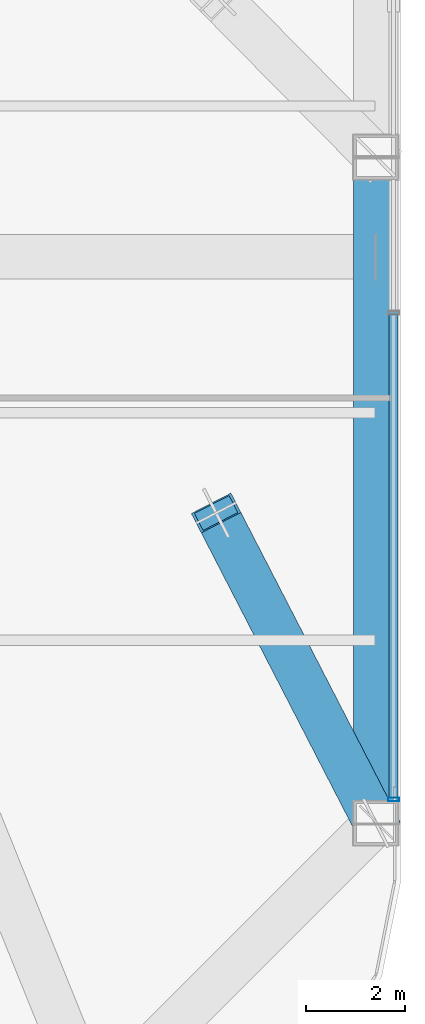
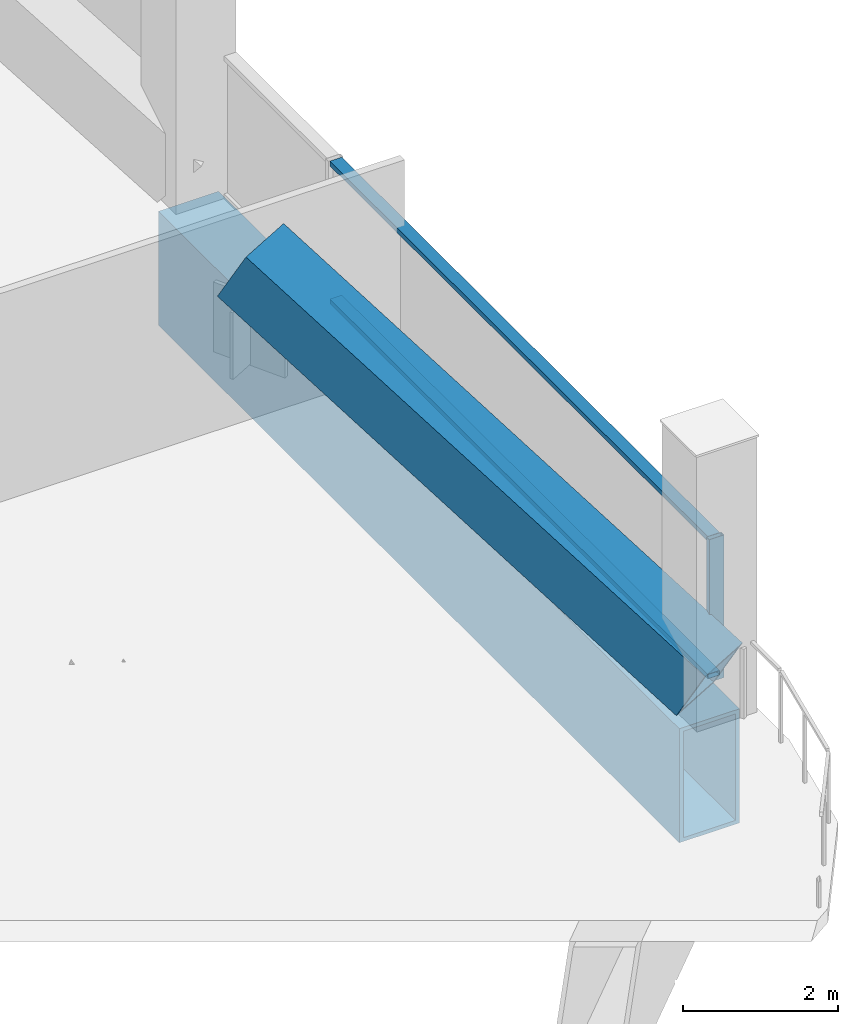
# One storey, part 12 of 38: 4 members, 1 beam, 1 element without a shape of its own.
"""IFC4 building model written with IfcOpenShell, lengths in metres."""

from ifc_helpers import new_model, si_unit, direction, frame, origin, origin_2d, place, context, subcontext, project, spatial, hollow_rectangle, extrude, material, layer, layer_set, material_profile, profile_set, type_object, element, aggregate, save


model = new_model("IFC4")

# Units and contexts
model_context = context("Model", 3, precision=1e-05, world=origin(), true_north=direction((0.0, 1.0)))
body_context = subcontext(model_context, "Body", "Model", "MODEL_VIEW")
ifc_project = project(units=[si_unit("LENGTHUNIT", "METRE"), si_unit("AREAUNIT", "SQUARE_METRE"), si_unit("VOLUMEUNIT", "CUBIC_METRE"), si_unit("PLANEANGLEUNIT", "RADIAN"), si_unit("MASSUNIT", "GRAM", prefix="KILO")], contexts=[model_context])

# Site, building, storey
site_placement = place(None, origin())
site = spatial("IfcSite", under=ifc_project, at=site_placement, CompositionType="ELEMENT")
building_placement = place(site_placement, origin())
building = spatial("IfcBuilding", under=site, at=building_placement, Name="Qhalaya Broadcast Tower", CompositionType="ELEMENT")
storey_placement = place(building_placement, frame((0.0, 0.0, 53.550048828125)))
storey = spatial("IfcBuildingStorey", under=building, at=storey_placement, Name="L15", CompositionType="ELEMENT", Elevation=53.550048828125)

# Beam
ifc_material_1 = material(Name="Structural Steel ASTM A572 Grade 50", Category="steel")
ifc_material_profile_1 = material_profile(ifc_material_1, hollow_rectangle(XDim=0.89990234375, YDim=1.800048828125, WallThickness=0.06005859375, at=origin_2d()), Name="BOX 900x1800x60")
ifc_profile_set_1 = profile_set([ifc_material_profile_1], Name="Structural Steel ASTM A572 Grade 50")
beam_type = type_object("IfcBeamType", Name="Block Cantilever Transfer Box Girder TG1", PredefinedType="USERDEFINED", material=ifc_profile_set_1)
beam_placement = place(storey_placement, frame((25.89990234375, -20.199951171875, -1.1201171875), z_axis=(0.0, 1.0, 0.0), x_axis=(-1.0, 0.0, 0.0)))
element("IfcBeam", 1, at=beam_placement, inside=storey, type_object=beam_type, Name="L15 TG1 L15-SPR-05", ObjectType="GIRDER", PredefinedType="USERDEFINED", context=body_context, shape_type="SweptSolid", body=[
    extrude(hollow_rectangle(XDim=0.89990234375, YDim=1.800048828125, WallThickness=0.06005859375, at=origin_2d()), origin(), (0.0, 0.0, 1.0), 13.466552734375),
])

# Member
ifc_material_profile_2 = material_profile(ifc_material_1, hollow_rectangle(XDim=0.89990234375, YDim=0.89990234375, WallThickness=0.054931640625, at=origin_2d()), Name="BOX 900x900x55")
ifc_profile_set_2 = profile_set([ifc_material_profile_2], Name="Structural Steel ASTM A572 Grade 50")
member_type_1 = type_object("IfcMemberType", Name="Heavy Exoskeleton Transfer Strut RK1", PredefinedType="BRACE", material=ifc_profile_set_2)
member_1_placement = place(storey_placement, frame((25.89990234375, -20.199951171875, 0.402587890625), z_axis=(-0.399626354902, 0.775752384475, 0.4883717994), x_axis=(-0.888976264551, -0.457953273889, 0.0)))
element("IfcMember", 2, at=member_1_placement, inside=storey, type_object=member_type_1, Name="L15 Inclined Exoskeleton Transfer Strut 05", PredefinedType="BRACE", context=body_context, shape_type="SweptSolid", body=[
    extrude(hollow_rectangle(XDim=0.89990234375, YDim=0.89990234375, WallThickness=0.054931640625, at=origin_2d()), origin(), (0.0, 0.0, 1.0), 8.08251953125),
])

# Curtain wall, members
ifc_material_2 = material(Name="Fired Architectural Terracotta", Category="masonry")
ifc_layer = layer(ifc_material_2, 0.219970703125, Name="Fired Architectural Terracotta")
ifc_layer_set = layer_set([ifc_layer], Name="Fired Architectural Terracotta")
curtain_wall_type = type_object("IfcCurtainWallType", Name="Block-Cap Unitised Terracotta Spandrel Wall CW-07", PredefinedType="NOTDEFINED", material=ifc_layer_set)
curtain_wall_placement = place(storey_placement, origin())
curtain_wall = element("IfcCurtainWall", 3, at=curtain_wall_placement, inside=storey, type_object=curtain_wall_type, Name="L15 Unitised Curtain Wall L15-CW-E", PredefinedType="NOTDEFINED")
ifc_material_3 = material(Name="Anodised Aluminium 6063-T6", Category="aluminium")
ifc_material_profile_3 = material_profile(ifc_material_3, hollow_rectangle(XDim=0.074951171875, YDim=0.219970703125, WallThickness=0.00390625, at=origin_2d()), Name="ALU-MUL 75x220x4")
ifc_profile_set_3 = profile_set([ifc_material_profile_3], Name="Anodised Aluminium 6063-T6")
member_type_2 = type_object("IfcMemberType", Name="Unitised Curtain-Wall Mullion M01", PredefinedType="MULLION", material=ifc_profile_set_3)
member_2_placement = place(storey_placement, frame((26.260009765625, -19.724609375, 0.0), z_axis=(0.0, 0.0, 1.0), x_axis=(0.0, -1.0, 0.0)))
member_2 = element("IfcMember", 4, at=member_2_placement, type_object=member_type_2, Name="CW-07 mullion 5", PredefinedType="MULLION", context=body_context, shape_type="SweptSolid", body=[
    extrude(hollow_rectangle(XDim=0.074951171875, YDim=0.219970703125, WallThickness=0.00390625, at=origin_2d()), origin(), (0.0, 0.0, 1.0), 2.25),
])
ifc_material_profile_4 = material_profile(ifc_material_3, hollow_rectangle(XDim=0.074951171875, YDim=0.179931640625, WallThickness=0.00390625, at=origin_2d()), Name="ALU-TRN 75x180x4")
ifc_profile_set_4 = profile_set([ifc_material_profile_4], Name="Anodised Aluminium 6063-T6")
member_type_3 = type_object("IfcMemberType", Name="Unitised Curtain-Wall Transom T01", PredefinedType="USERDEFINED", material=ifc_profile_set_4)
member_3_placement = place(storey_placement, frame((26.260009765625, -9.91845703125, 0.037353515625), z_axis=(0.0, -1.0, 0.0), x_axis=(0.0, 0.0, 1.0)))
member_3 = element("IfcMember", 5, at=member_3_placement, type_object=member_type_3, Name="CW-07 transom 4.1", ObjectType="TRANSOM", PredefinedType="USERDEFINED", context=body_context, shape_type="SweptSolid", body=[
    extrude(hollow_rectangle(XDim=0.074951171875, YDim=0.179931640625, WallThickness=0.00390625, at=origin_2d()), origin(), (0.0, 0.0, 1.0), 9.7685546875),
])
member_4_placement = place(storey_placement, frame((26.260009765625, -9.91845703125, 2.21240234375), z_axis=(0.0, -1.0, 0.0), x_axis=(0.0, 0.0, 1.0)))
member_4 = element("IfcMember", 6, at=member_4_placement, type_object=member_type_3, Name="CW-07 transom 4.2", ObjectType="TRANSOM", PredefinedType="USERDEFINED", context=body_context, shape_type="SweptSolid", body=[
    extrude(hollow_rectangle(XDim=0.074951171875, YDim=0.179931640625, WallThickness=0.00390625, at=origin_2d()), origin(), (0.0, 0.0, 1.0), 9.7685546875),
])
aggregate(curtain_wall, [member_2, member_3, member_4])

save(model, "model.ifc")
